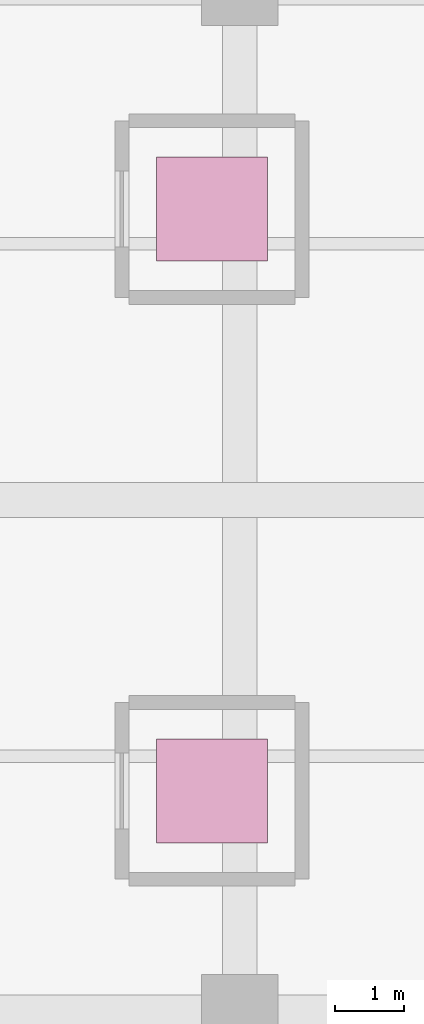
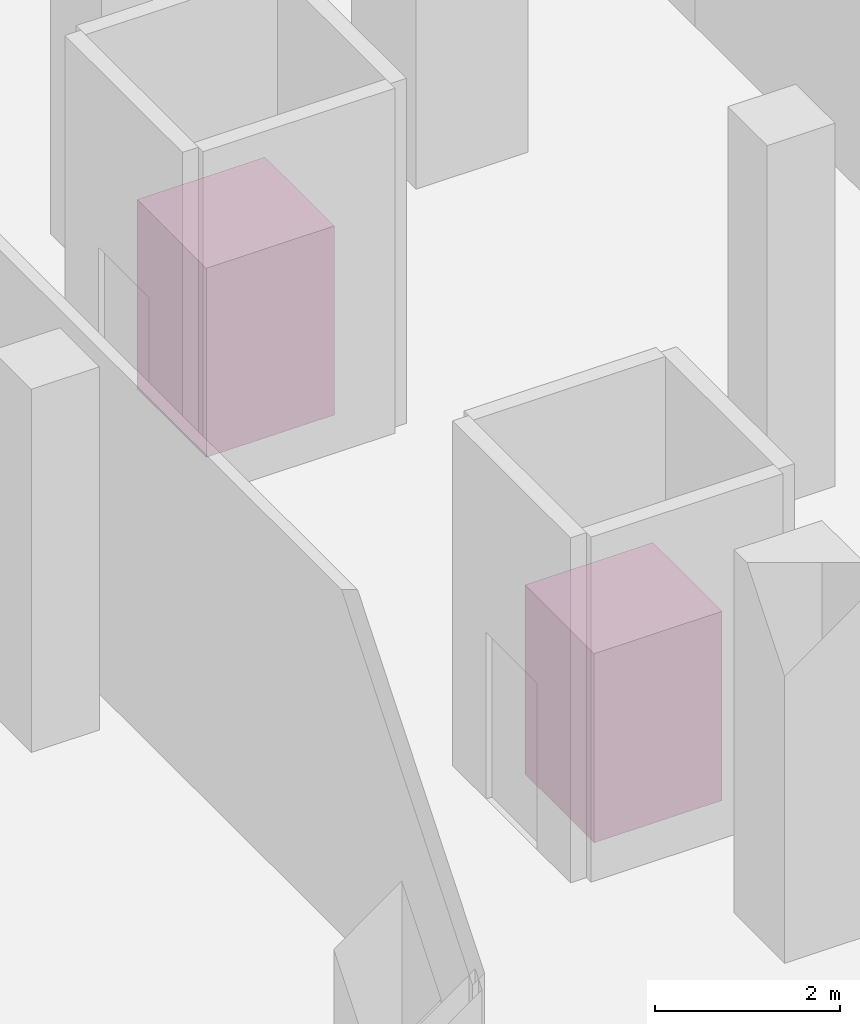
# One storey, part 24 of 24: 2 transport elements.
"""IFC4 building model written with IfcOpenShell, lengths in metres."""

from ifc_helpers import new_model, si_unit, direction, frame, origin, origin_2d, place, context, subcontext, project, spatial, rectangle, extrude, material, type_object, element, save


model = new_model("IFC4")

# Units and contexts
model_context = context("Model", 3, precision=1e-05, world=origin(), true_north=direction((0.0, 1.0)))
body_context = subcontext(model_context, "Body", "Model", "MODEL_VIEW")
ifc_project = project(units=[si_unit("LENGTHUNIT", "METRE"), si_unit("AREAUNIT", "SQUARE_METRE"), si_unit("VOLUMEUNIT", "CUBIC_METRE"), si_unit("PLANEANGLEUNIT", "RADIAN"), si_unit("MASSUNIT", "GRAM", prefix="KILO")], contexts=[model_context])

# Site, building, storey
site_placement = place(None, origin())
site = spatial("IfcSite", under=ifc_project, at=site_placement, CompositionType="ELEMENT")
building_placement = place(site_placement, origin())
building = spatial("IfcBuilding", under=site, at=building_placement, Name="Khorvyn Point Tower", CompositionType="ELEMENT")
storey_placement = place(building_placement, origin())
storey = spatial("IfcBuildingStorey", under=building, at=storey_placement, Name="L01", CompositionType="ELEMENT", Elevation=0.0)

# Transport elements
ifc_material = material(Name="Stainless steel 1.4301 and laminated glass", Category="steel")
transport_element_type = type_object("IfcTransportElementType", Name="High-Speed Gearless Passenger Lift", PredefinedType="ELEVATOR", material=ifc_material)
for number, where, z_axis, x_axis, name in (
    (1, (-19.199951171875, -4.199951171875, 0.0), (0.0, 0.0, 1.0), (1.0, 0.0, 0.0), "Passenger Lift SL-01"),
    (2, (-19.199951171875, 4.199951171875, 0.0), (0.0, 0.0, 1.0), (1.0, 0.0, 0.0), "Passenger Lift SL-02"),
):
    element("IfcTransportElement", number, at=place(storey_placement, frame(where, z_axis=z_axis, x_axis=x_axis)), inside=storey, type_object=transport_element_type, Name=name, PredefinedType="ELEVATOR", context=body_context, shape_type="SweptSolid", body=[
        extrude(rectangle(XDim=1.60009765625, YDim=1.5, at=origin_2d()), origin(), (0.0, 0.0, 1.0), 2.5),
    ])

save(model, "model.ifc")
